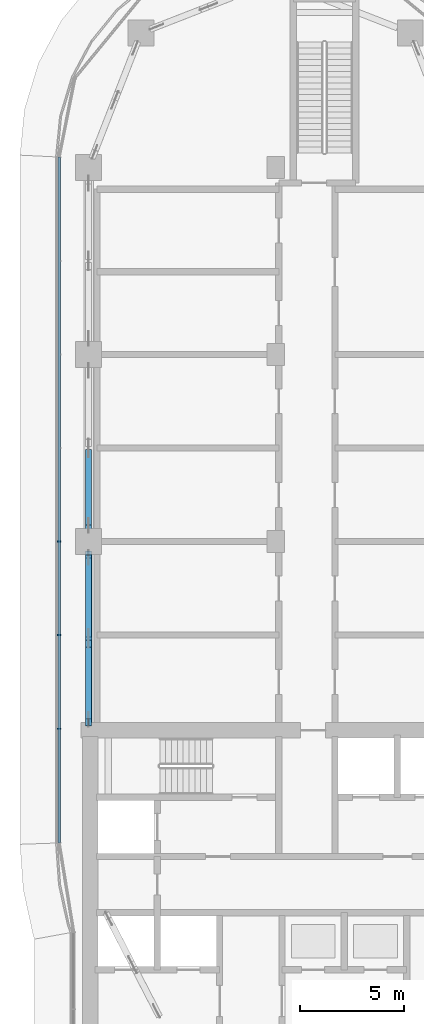
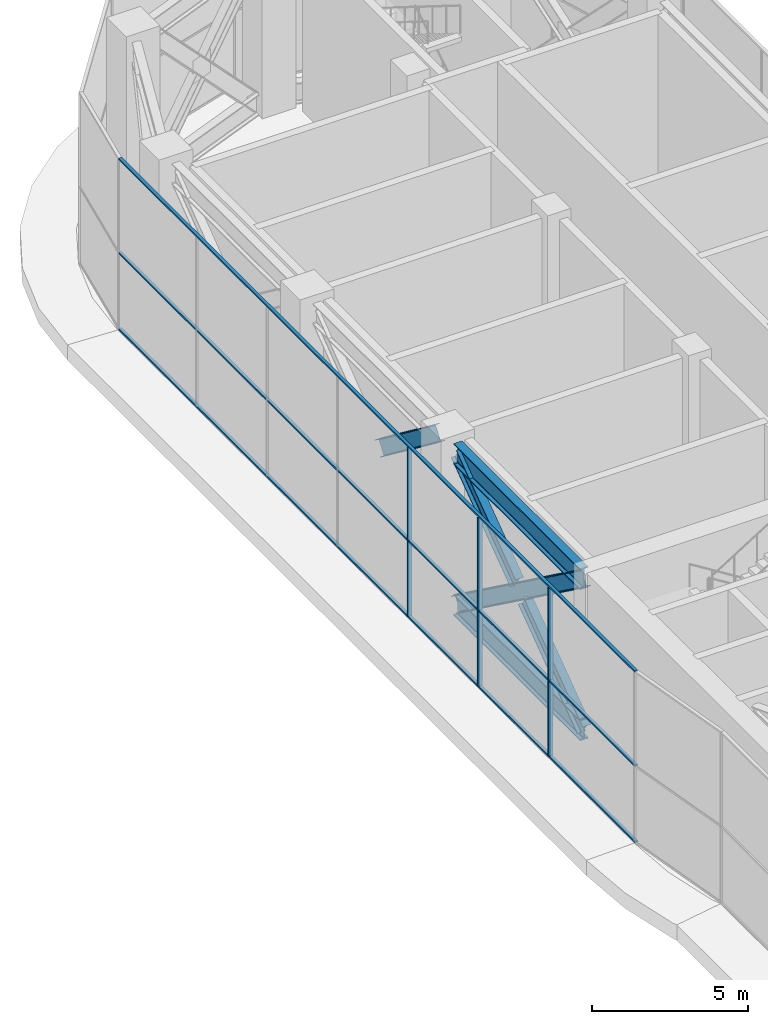
# One storey, part 4 of 35: 12 members, 1 element without a shape of its own.
"""IFC4 building model written with IfcOpenShell, lengths in metres."""

from ifc_helpers import new_model, si_unit, direction, frame, origin, origin_2d, place, context, subcontext, project, spatial, rectangle, i_section, extrude, material, material_profile, profile_set, type_object, element, aggregate, save


model = new_model("IFC4")

# Units and contexts
model_context = context("Model", 3, precision=1e-05, world=origin(), true_north=direction((0.0, 1.0)))
body_context = subcontext(model_context, "Body", "Model", "MODEL_VIEW")
ifc_project = project(units=[si_unit("LENGTHUNIT", "METRE"), si_unit("AREAUNIT", "SQUARE_METRE"), si_unit("VOLUMEUNIT", "CUBIC_METRE"), si_unit("PLANEANGLEUNIT", "RADIAN"), si_unit("MASSUNIT", "GRAM", prefix="KILO")], contexts=[model_context])

# Site, building, storey
site_placement = place(None, origin())
site = spatial("IfcSite", under=ifc_project, at=site_placement, CompositionType="ELEMENT")
building_placement = place(site_placement, origin())
building = spatial("IfcBuilding", under=site, at=building_placement, Name="Ogive Portal Towers", CompositionType="ELEMENT")
storey_placement = place(building_placement, frame((0.0, 0.0, 135.199951171875)))
storey = spatial("IfcBuildingStorey", under=building, at=storey_placement, Name="L33", CompositionType="ELEMENT", Elevation=135.199951171875)

# Members
ifc_material_1 = material(Name="Steel S355", Category="steel")
ifc_material_profile_1 = material_profile(ifc_material_1, i_section(OverallWidth=0.300048828125, OverallDepth=0.60009765625, WebThickness=0.015380859375, FlangeThickness=0.030029296875, FilletRadius=0.027099609375, at=origin_2d()), Name="HEB 600")
ifc_profile_set_1 = profile_set([ifc_material_profile_1], Name="Steel S355")
member_type_1 = type_object("IfcMemberType", Name="BRACE HEB 600", PredefinedType="BRACE", material=ifc_profile_set_1)
member_1_placement = place(storey_placement, frame((31.5, 52.751953125, 3.538330078125), z_axis=(0.0, -0.796357381808, 0.60482635561), x_axis=(1.0, 0.0, 0.0)))
element("IfcMember", 1, at=member_1_placement, inside=storey, type_object=member_type_1, Name="Belt truss diagonal", PredefinedType="BRACE", context=body_context, shape_type="SweptSolid", body=[
    extrude(i_section(OverallWidth=0.300048828125, OverallDepth=0.60009765625, WebThickness=0.015380859375, FlangeThickness=0.030029296875, FilletRadius=0.027099609375, at=origin_2d()), origin(), (0.0, 0.0, 1.0), 4.554443359375),
])
member_2_placement = place(storey_placement, frame((31.5, 47.875, 0.406982421875), z_axis=(0.0, -0.808102750075, 0.589041548044), x_axis=(1.0, 0.0, 0.0)))
element("IfcMember", 2, at=member_2_placement, inside=storey, type_object=member_type_1, Name="Belt truss diagonal", PredefinedType="BRACE", context=body_context, shape_type="SweptSolid", body=[
    extrude(i_section(OverallWidth=0.300048828125, OverallDepth=0.60009765625, WebThickness=0.015380859375, FlangeThickness=0.030029296875, FilletRadius=0.027099609375, at=origin_2d()), origin(), (0.0, 0.0, 1.0), 9.992431640625),
])
member_3_placement = place(storey_placement, frame((31.5, 47.875, 6.29296875), z_axis=(0.0, -0.808099594501, -0.589045877133), x_axis=(1.0, 0.0, 0.0)))
element("IfcMember", 3, at=member_3_placement, inside=storey, type_object=member_type_1, Name="Belt truss diagonal", PredefinedType="BRACE", context=body_context, shape_type="SweptSolid", body=[
    extrude(i_section(OverallWidth=0.300048828125, OverallDepth=0.60009765625, WebThickness=0.015380859375, FlangeThickness=0.030029296875, FilletRadius=0.027099609375, at=origin_2d()), origin(), (0.0, 0.0, 1.0), 4.680908203125),
])
member_4_placement = place(storey_placement, frame((31.5, 43.582763671875, 3.16455078125), z_axis=(0.0, -0.808074768055, -0.589079934502), x_axis=(1.0, 0.0, 0.0)))
element("IfcMember", 4, at=member_4_placement, inside=storey, type_object=member_type_1, Name="Belt truss diagonal", PredefinedType="BRACE", context=body_context, shape_type="SweptSolid", body=[
    extrude(i_section(OverallWidth=0.300048828125, OverallDepth=0.60009765625, WebThickness=0.015380859375, FlangeThickness=0.030029296875, FilletRadius=0.027099609375, at=origin_2d()), origin(), (0.0, 0.0, 1.0), 4.68115234375),
])
ifc_material_profile_2 = material_profile(ifc_material_1, i_section(OverallWidth=0.302978515625, OverallDepth=0.81396484375, WebThickness=0.02099609375, FlangeThickness=0.0400390625, FilletRadius=0.030029296875, at=origin_2d()), Name="HEM 800")
ifc_profile_set_2 = profile_set([ifc_material_profile_2], Name="Steel S355")
member_type_2 = type_object("IfcMemberType", Name="CHORD HEM 800", PredefinedType="CHORD", material=ifc_profile_set_2)
for number, where, z_axis, x_axis, name in (
    (5, (31.5, 47.875, 0.406982421875), (0.0, -1.0, 0.0), (1.0, 0.0, 0.0), "Belt truss bottom chord"),
    (6, (31.5, 47.875, 6.29296875), (0.0, -1.0, 0.0), (1.0, 0.0, 0.0), "Belt truss top chord"),
):
    element("IfcMember", number, at=place(storey_placement, frame(where, z_axis=z_axis, x_axis=x_axis)), inside=storey, type_object=member_type_2, Name=name, PredefinedType="CHORD", context=body_context, shape_type="SweptSolid", body=[
        extrude(i_section(OverallWidth=0.302978515625, OverallDepth=0.81396484375, WebThickness=0.02099609375, FlangeThickness=0.0400390625, FilletRadius=0.030029296875, at=origin_2d()), origin(), (0.0, 0.0, 1.0), 8.074951171875),
    ])

# Curtain wall, members
ifc_material_2 = material(Name="Glass, clear low-iron insulated glazing", Category="glass")
curtain_wall_type = type_object("IfcCurtainWallType", Name="CW OBSERVATION WALL", PredefinedType="NOTDEFINED", material=ifc_material_2)
curtain_wall_placement = place(storey_placement, origin())
curtain_wall = element("IfcCurtainWall", 7, at=curtain_wall_placement, inside=storey, type_object=curtain_wall_type, Name="A:L33:f24:cw0", PredefinedType="NOTDEFINED")
ifc_material_3 = material(Name="Aluminium 6063 anodised", Category="aluminium")
ifc_material_profile_3 = material_profile(ifc_material_3, rectangle(XDim=0.159912109375, YDim=0.06005859375, at=origin_2d()), Name="AL 60x160")
ifc_profile_set_3 = profile_set([ifc_material_profile_3], Name="Aluminium 6063 anodised")
member_type_3 = type_object("IfcMemberType", Name="CW MULLION 60x160", PredefinedType="MULLION", material=ifc_profile_set_3)
member_5_placement = place(storey_placement, frame((30.080078125, 48.5, 0.06005859375), z_axis=(0.0, 0.0, 1.0), x_axis=(1.0, 0.0, 0.0)))
member_5 = element("IfcMember", 8, at=member_5_placement, type_object=member_type_3, Name="mullion", PredefinedType="MULLION", context=body_context, shape_type="SweptSolid", body=[
    extrude(rectangle(XDim=0.159912109375, YDim=0.06005859375, at=origin_2d()), origin(), (0.0, 0.0, 1.0), 6.580078125),
])
member_6_placement = place(storey_placement, frame((30.080078125, 44.0, 0.06005859375), z_axis=(0.0, 0.0, 1.0), x_axis=(1.0, 0.0, 0.0)))
member_6 = element("IfcMember", 9, at=member_6_placement, type_object=member_type_3, Name="mullion", PredefinedType="MULLION", context=body_context, shape_type="SweptSolid", body=[
    extrude(rectangle(XDim=0.159912109375, YDim=0.06005859375, at=origin_2d()), origin(), (0.0, 0.0, 1.0), 6.580078125),
])
member_7_placement = place(storey_placement, frame((30.080078125, 39.5, 0.06005859375), z_axis=(0.0, 0.0, 1.0), x_axis=(1.0, 0.0, 0.0)))
member_7 = element("IfcMember", 10, at=member_7_placement, type_object=member_type_3, Name="mullion", PredefinedType="MULLION", context=body_context, shape_type="SweptSolid", body=[
    extrude(rectangle(XDim=0.159912109375, YDim=0.06005859375, at=origin_2d()), origin(), (0.0, 0.0, 1.0), 6.580078125),
])
ifc_material_profile_4 = material_profile(ifc_material_3, rectangle(XDim=0.1201171875, YDim=0.06005859375, at=origin_2d()), Name="AL 120x60")
ifc_profile_set_4 = profile_set([ifc_material_profile_4], Name="Aluminium 6063 anodised")
member_type_4 = type_object("IfcMemberType", Name="CW TRANSOM 60x120", PredefinedType="USERDEFINED", material=ifc_profile_set_4)
member_8_placement = place(storey_placement, frame((30.080078125, 66.9921875, 0.030029296875), z_axis=(0.0, -1.0, 0.0), x_axis=(1.0, 0.0, 0.0)))
member_8 = element("IfcMember", 11, at=member_8_placement, type_object=member_type_4, Name="transom", ObjectType="TRANSOM", PredefinedType="USERDEFINED", context=body_context, shape_type="SweptSolid", body=[
    extrude(rectangle(XDim=0.1201171875, YDim=0.06005859375, at=origin_2d()), origin(), (0.0, 0.0, 1.0), 32.98583984375),
])
member_9_placement = place(storey_placement, frame((30.080078125, 66.9921875, 3.0), z_axis=(0.0, -1.0, 0.0), x_axis=(1.0, 0.0, 0.0)))
member_9 = element("IfcMember", 12, at=member_9_placement, type_object=member_type_4, Name="transom", ObjectType="TRANSOM", PredefinedType="USERDEFINED", context=body_context, shape_type="SweptSolid", body=[
    extrude(rectangle(XDim=0.1201171875, YDim=0.06005859375, at=origin_2d()), origin(), (0.0, 0.0, 1.0), 32.98583984375),
])
member_10_placement = place(storey_placement, frame((30.080078125, 66.9921875, 6.670166015625), z_axis=(0.0, -1.0, 0.0), x_axis=(1.0, 0.0, 0.0)))
member_10 = element("IfcMember", 13, at=member_10_placement, type_object=member_type_4, Name="transom", ObjectType="TRANSOM", PredefinedType="USERDEFINED", context=body_context, shape_type="SweptSolid", body=[
    extrude(rectangle(XDim=0.1201171875, YDim=0.06005859375, at=origin_2d()), origin(), (0.0, 0.0, 1.0), 32.98583984375),
])
aggregate(curtain_wall, [member_8, member_9, member_10, member_5, member_6, member_7])

save(model, "model.ifc")
